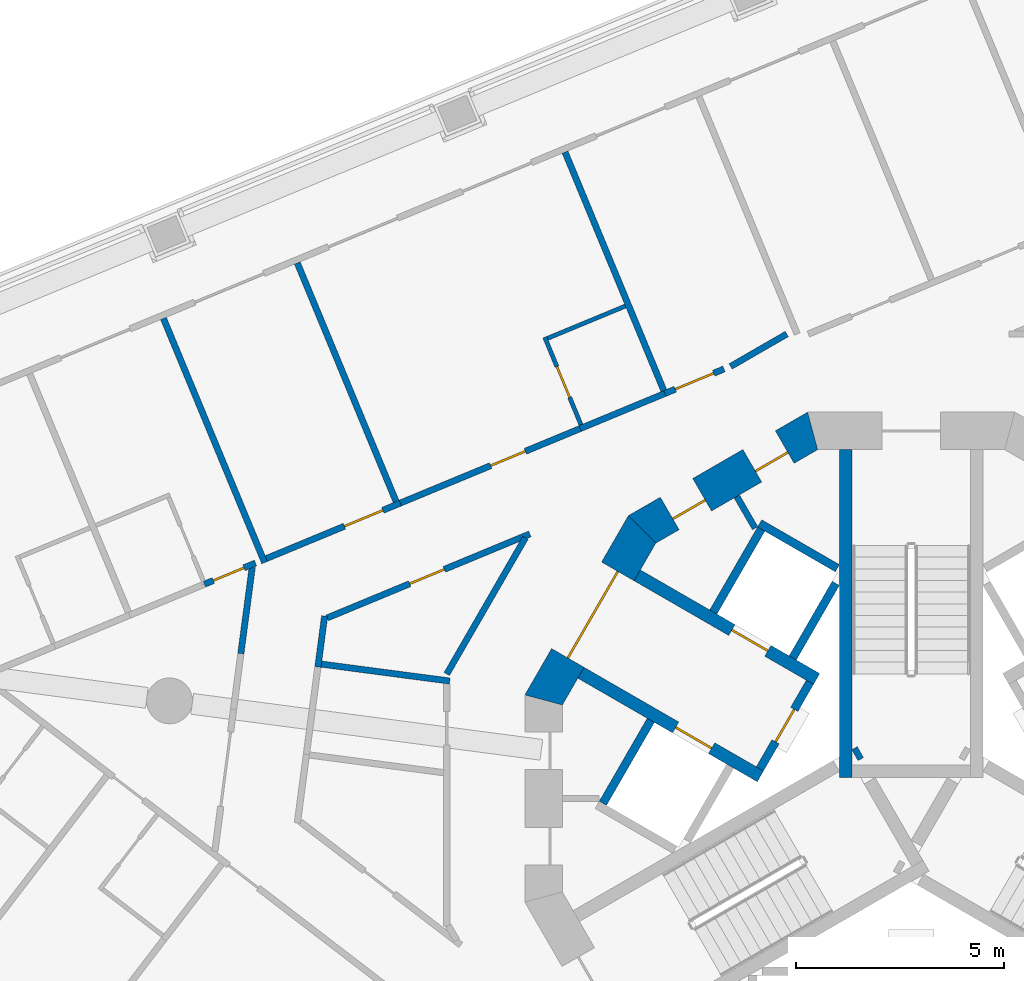
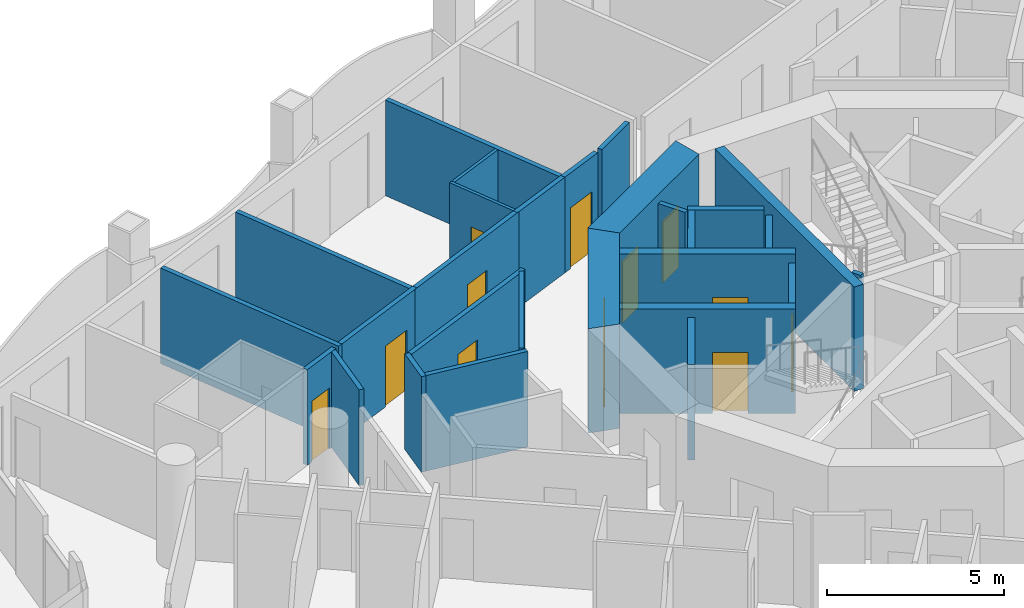
# One storey, part 7 of 17: 28 walls, 12 doors, 12 openings.
"""IFC4 building model written with IfcOpenShell, lengths in metres."""

from ifc_helpers import new_model, si_unit, direction, frame, frame_2d, origin, place, context, subcontext, project, spatial, polyline, rectangle, outline, extrude, material, layer, layer_set, type_object, element, fill, save


model = new_model("IFC4")

# Units and contexts
model_context = context("Model", 3, precision=1e-05, world=origin(), true_north=direction((0.0, 1.0)))
body_context = subcontext(model_context, "Body", "Model", "MODEL_VIEW")
ifc_project = project(units=[si_unit("LENGTHUNIT", "METRE"), si_unit("AREAUNIT", "SQUARE_METRE"), si_unit("VOLUMEUNIT", "CUBIC_METRE"), si_unit("PLANEANGLEUNIT", "RADIAN"), si_unit("MASSUNIT", "GRAM", prefix="KILO")], contexts=[model_context])

# Site, building, storey
site_placement = place(None, origin())
site = spatial("IfcSite", under=ifc_project, at=site_placement, CompositionType="ELEMENT")
building_placement = place(site_placement, origin())
building = spatial("IfcBuilding", under=site, at=building_placement, Name="Trine Commons Tower", CompositionType="ELEMENT")
storey_placement = place(building_placement, frame((0.0, 0.0, 131.39990234375)))
storey = spatial("IfcBuildingStorey", under=building, at=storey_placement, Name="L33", CompositionType="ELEMENT", Elevation=131.39990234375)

# Wall
ifc_material_1 = material(Name="Plasterboard partition on steel studs", Category="steel")
ifc_layer_1 = layer(ifc_material_1, 0.14990234375)
ifc_layer_set_1 = layer_set([ifc_layer_1], Name="Plasterboard partition on steel studs")
wall_type_1 = type_object("IfcWallType", Name="Core room partition 150 mm, EI 60", PredefinedType="PARTITIONING", material=ifc_layer_set_1)
wall_1_placement = place(storey_placement, frame((75.81396484375, 69.7509765625, 0.0), z_axis=(0.0, 0.0, 1.0), x_axis=(0.499890179513, -0.866088799389, 0.0)))
element("IfcWall", 1, at=wall_1_placement, inside=storey, type_object=wall_type_1, Name="Core room partition L33", PredefinedType="PARTITIONING", context=body_context, shape_type="SweptSolid", body=[
    extrude(rectangle(XDim=0.882080078125, YDim=0.14990234375, at=frame_2d((0.44091796875, 0.0))), origin(), (0.0, 0.0, 1.0), 3.300048828125),
])

# Wall, opening, door
ifc_material_2 = material(Name="Fire-rated gypsum shaft wall system")
ifc_layer_2 = layer(ifc_material_2, 0.199951171875)
ifc_layer_set_2 = layer_set([ifc_layer_2], Name="Fire-rated gypsum shaft wall system")
wall_type_2 = type_object("IfcWallType", Name="Lobby end wall 200 mm, EI 120", PredefinedType="PARTITIONING", material=ifc_layer_set_2)
wall_2_placement = place(storey_placement, frame((77.569091796875, 65.2890625, 0.0), z_axis=(0.0, 0.0, 1.0), x_axis=(-0.50012165622, -0.865955154139, 0.0)))
wall_2 = element("IfcWall", 2, at=wall_2_placement, inside=storey, type_object=wall_type_2, Name="Lobby end wall L33", PredefinedType="PARTITIONING", context=body_context, shape_type="SweptSolid", body=[
    extrude(rectangle(XDim=2.39990234375, YDim=0.199951171875, at=frame_2d((1.199951171875, 0.0))), origin(), (0.0, 0.0, 1.0), 3.300048828125),
])
opening_1_placement = place(wall_2_placement, frame((0.749755859375, 0.0, 0.0)))
opening_1 = element("IfcOpeningElement", 3, at=opening_1_placement, cuts=wall_2, Name="Opening K12.07", PredefinedType="OPENING", context=body_context, shape_type="SweptSolid", body=[
    extrude(rectangle(XDim=0.89990234375, YDim=2.10009765625, at=frame_2d((0.449951171875, 1.050048828125))), frame((0.0, 0.10986328125, 0.0), z_axis=(0.0, -1.0, 0.0), x_axis=(1.0, 0.0, 0.0)), (0.0, 0.0, 1.0), 0.219970703125),
])
ifc_material_3 = material(Name="Steel door leaf, fire-rated", Category="steel")
door_type_1 = type_object("IfcDoorType", Name="Riser access door, single leaf 900 x 2100, FD60", OperationType="SINGLE_SWING_LEFT", PredefinedType="DOOR", material=ifc_material_3)
door_1_placement = place(opening_1_placement, frame((0.89990234375, 0.0, 0.0), z_axis=(0.0, 0.0, 1.0), x_axis=(-1.0, 0.0, 0.0)))
door_1 = element("IfcDoor", 4, at=door_1_placement, inside=storey, type_object=door_type_1, Name="Riser door, Mechanical riser L33", OperationType="SINGLE_SWING_RIGHT", OverallHeight=2.10009765625, OverallWidth=0.89990234375, PredefinedType="DOOR", context=body_context, shape_type="SweptSolid", body=[
    extrude(rectangle(XDim=0.89990234375, YDim=2.10009765625, at=frame_2d((0.449951171875, 1.050048828125))), frame((0.0, 0.02490234375, 0.0), z_axis=(0.0, -1.0, 0.0), x_axis=(1.0, 0.0, 0.0)), (0.0, 0.0, 1.0), 0.050048828125),
])
fill(opening_1, door_1)

ifc_material_4 = material(Name="Concrete C70/85", Category="concrete")
ifc_layer_3 = layer(ifc_material_4, 0.300048828125)
ifc_layer_set_3 = layer_set([ifc_layer_3], Name="Concrete C70/85")
wall_type_3 = type_object("IfcWallType", Name="RC shear wall 300 mm, C70/85", PredefinedType="SHEAR", material=ifc_layer_set_3)
wall_3_placement = place(storey_placement, frame((76.381103515625, 63.031005859375, 0.0), z_axis=(0.0, 0.0, 1.0), x_axis=(-0.866080953719, 0.499903772346, 0.0)))
wall_3 = element("IfcWall", 5, at=wall_3_placement, inside=storey, type_object=wall_type_3, Name="Core cross wall SWB-01 L33", PredefinedType="SHEAR", context=body_context, shape_type="SweptSolid", body=[
    extrude(rectangle(XDim=4.97314453125, YDim=0.300048828125, at=frame_2d((2.486572265625, 0.0))), origin(), (0.0, 0.0, 1.0), 3.60009765625),
])
opening_2_placement = place(wall_3_placement, frame((1.350341796875, 0.0, 0.0)))
opening_2 = element("IfcOpeningElement", 6, at=opening_2_placement, cuts=wall_3, Name="Opening LD7", PredefinedType="OPENING", context=body_context, shape_type="SweptSolid", body=[
    extrude(rectangle(XDim=1.0, YDim=2.10009765625, at=frame_2d((0.5, 1.050048828125))), frame((0.0, 0.159912109375, 0.0), z_axis=(0.0, -1.0, 0.0), x_axis=(1.0, 0.0, 0.0)), (0.0, 0.0, 1.0), 0.320068359375),
])
ifc_material_5 = material(Name="Stainless steel sliding door leaves", Category="steel")
door_type_2 = type_object("IfcDoorType", Name="Lift landing door, centre-opening sliding 1000 x 2100, FD90", OperationType="DOUBLE_DOOR_SLIDING", PredefinedType="DOOR", material=ifc_material_5)
door_2_placement = place(opening_2_placement, origin())
door_2 = element("IfcDoor", 7, at=door_2_placement, inside=storey, type_object=door_type_2, Name="Lift landing door HR3 L33", OperationType="DOUBLE_DOOR_SLIDING", OverallHeight=2.10009765625, OverallWidth=1.0, PredefinedType="DOOR", context=body_context, shape_type="SweptSolid", body=[
    extrude(rectangle(XDim=1.0, YDim=2.10009765625, at=frame_2d((0.5, 1.050048828125))), frame((0.0, 0.02490234375, 0.0), z_axis=(0.0, -1.0, 0.0), x_axis=(1.0, 0.0, 0.0)), (0.0, 0.0, 1.0), 0.050048828125),
])
fill(opening_2, door_2)

wall_4_placement = place(storey_placement, frame((77.73095703125, 65.368896484375, 0.0), z_axis=(0.0, 0.0, 1.0), x_axis=(-0.865983655544, 0.500072303102, 0.0)))
wall_4 = element("IfcWall", 8, at=wall_4_placement, inside=storey, type_object=wall_type_3, Name="Core cross wall SWB-02 L33", PredefinedType="SHEAR", context=body_context, shape_type="SweptSolid", body=[
    extrude(rectangle(XDim=4.973388671875, YDim=0.300048828125, at=frame_2d((2.48681640625, 0.0))), origin(), (0.0, 0.0, 1.0), 3.60009765625),
])
opening_3_placement = place(wall_4_placement, frame((1.3505859375, 0.0, 0.0)))
opening_3 = element("IfcOpeningElement", 9, at=opening_3_placement, cuts=wall_4, Name="Opening LD8", PredefinedType="OPENING", context=body_context, shape_type="SweptSolid", body=[
    extrude(rectangle(XDim=1.0, YDim=2.10009765625, at=frame_2d((0.5, 1.050048828125))), frame((0.0, 0.159912109375, 0.0), z_axis=(0.0, -1.0, 0.0), x_axis=(1.0, 0.0, 0.0)), (0.0, 0.0, 1.0), 0.320068359375),
])
door_3_placement = place(opening_3_placement, origin())
door_3 = element("IfcDoor", 10, at=door_3_placement, inside=storey, type_object=door_type_2, Name="Lift landing door HR4 L33", OperationType="DOUBLE_DOOR_SLIDING", OverallHeight=2.10009765625, OverallWidth=1.0, PredefinedType="DOOR", context=body_context, shape_type="SweptSolid", body=[
    extrude(rectangle(XDim=1.0, YDim=2.10009765625, at=frame_2d((0.5, 1.050048828125))), frame((0.0, 0.02490234375, 0.0), z_axis=(0.0, -1.0, 0.0), x_axis=(1.0, 0.0, 0.0)), (0.0, 0.0, 1.0), 0.050048828125),
])
fill(opening_3, door_3)

# Walls
wall_5_placement = place(storey_placement, frame((78.425048828125, 63.0009765625, 0.0), z_axis=(0.0, 0.0, 1.0), x_axis=(0.0, 1.0, 0.0)))
element("IfcWall", 11, at=wall_5_placement, inside=storey, type_object=wall_type_3, Name="Core cross wall SWB-08 L33", PredefinedType="SHEAR", context=body_context, shape_type="SweptSolid", body=[
    extrude(rectangle(XDim=7.8720703125, YDim=0.300048828125, at=frame_2d((3.93603515625, 0.0))), origin(), (0.0, 0.0, 1.0), 3.60009765625),
])
wall_6_placement = place(storey_placement, frame((78.779052734375, 63.614013671875, 0.0), z_axis=(0.0, 0.0, 1.0), x_axis=(-0.867737973955, -0.497021939713, 0.0)))
element("IfcWall", 12, at=wall_6_placement, inside=storey, type_object=wall_type_3, Name="Core cross wall SWB-09 L33", PredefinedType="SHEAR", context=body_context, shape_type="SweptSolid", body=[
    extrude(rectangle(XDim=0.14892578125, YDim=0.300048828125, at=frame_2d((0.074462890625, 0.0))), origin(), (0.0, 0.0, 1.0), 3.60009765625),
])

# Wall, openings, doors
ifc_layer_4 = layer(ifc_material_4, 0.89990234375)
ifc_layer_set_4 = layer_set([ifc_layer_4], Name="Concrete C70/85")
wall_type_4 = type_object("IfcWallType", Name="RC shear wall 900 mm, C70/85", PredefinedType="SHEAR", material=ifc_layer_set_4)
wall_7_placement = place(storey_placement, frame((77.740234375, 71.38330078125, 0.0), z_axis=(0.0, 0.0, 1.0), x_axis=(-0.866003133579, -0.500038571144, 0.0)))
wall_7 = element("IfcWall", 13, at=wall_7_placement, inside=storey, type_object=wall_type_4, Name="Core wall CWD-05 L33", PredefinedType="SHEAR", context=body_context, shape_type="SweptSolid", body=[
    extrude(outline(polyline([(0.0, -0.449951171875), (4.96923828125, -0.449951171875), (4.72802734375, 0.449951171875), (0.2412109375, 0.449951171875), (0.0, -0.449951171875)])), origin(), (0.0, 0.0, 1.0), 3.60009765625),
])
opening_4_placement = place(wall_7_placement, frame((0.89501953125, 0.0, 0.0)))
opening_4 = element("IfcOpeningElement", 14, at=opening_4_placement, cuts=wall_7, Name="Opening K12.14", PredefinedType="OPENING", context=body_context, shape_type="SweptSolid", body=[
    extrude(rectangle(XDim=0.89990234375, YDim=2.10009765625, at=frame_2d((0.449951171875, 1.050048828125))), frame((0.0, 0.4599609375, 0.0), z_axis=(0.0, -1.0, 0.0), x_axis=(1.0, 0.0, 0.0)), (0.0, 0.0, 1.0), 0.919921875),
])
opening_5_placement = place(wall_7_placement, frame((3.18408203125, 0.0, 0.0)))
opening_5 = element("IfcOpeningElement", 15, at=opening_5_placement, cuts=wall_7, Name="Opening K12.15", PredefinedType="OPENING", context=body_context, shape_type="SweptSolid", body=[
    extrude(rectangle(XDim=0.89990234375, YDim=2.10009765625, at=frame_2d((0.449951171875, 1.050048828125))), frame((0.0, 0.4599609375, 0.0), z_axis=(0.0, -1.0, 0.0), x_axis=(1.0, 0.0, 0.0)), (0.0, 0.0, 1.0), 0.919921875),
])
door_type_3 = type_object("IfcDoorType", Name="Core room door, single leaf 900 x 2100, FD30S", OperationType="SINGLE_SWING_LEFT", PredefinedType="DOOR", material=ifc_material_3)
door_4_placement = place(opening_4_placement, origin())
door_4 = element("IfcDoor", 16, at=door_4_placement, inside=storey, type_object=door_type_3, Name="Door to Cleaner's store L33", OperationType="SINGLE_SWING_LEFT", OverallHeight=2.10009765625, OverallWidth=0.89990234375, PredefinedType="DOOR", context=body_context, shape_type="SweptSolid", body=[
    extrude(rectangle(XDim=0.89990234375, YDim=2.10009765625, at=frame_2d((0.449951171875, 1.050048828125))), frame((0.0, 0.1748046875, 0.0), z_axis=(0.0, -1.0, 0.0), x_axis=(1.0, 0.0, 0.0)), (0.0, 0.0, 1.0), 0.050048828125),
])
fill(opening_4, door_4)
door_5_placement = place(opening_5_placement, origin())
door_5 = element("IfcDoor", 17, at=door_5_placement, inside=storey, type_object=door_type_3, Name="Door to Accessible WC L33", OperationType="SINGLE_SWING_RIGHT", OverallHeight=2.10009765625, OverallWidth=0.89990234375, PredefinedType="DOOR", context=body_context, shape_type="SweptSolid", body=[
    extrude(rectangle(XDim=0.89990234375, YDim=2.10009765625, at=frame_2d((0.449951171875, 1.050048828125))), frame((0.0, 0.1748046875, 0.0), z_axis=(0.0, -1.0, 0.0), x_axis=(1.0, 0.0, 0.0)), (0.0, 0.0, 1.0), 0.050048828125),
])
fill(opening_5, door_5)

# Wall, opening, door
wall_8_placement = place(storey_placement, frame((73.6015625, 69.063232421875, 0.0), z_axis=(0.0, 0.0, 1.0), x_axis=(-0.500038571144, -0.866003133579, 0.0)))
wall_8 = element("IfcWall", 18, at=wall_8_placement, inside=storey, type_object=wall_type_4, Name="Core wall CWD-06 L33", PredefinedType="SHEAR", context=body_context, shape_type="SweptSolid", body=[
    extrude(outline(polyline([(0.0, -0.449951171875), (4.96923828125, -0.449951171875), (4.72802734375, 0.449951171875), (0.2412109375, 0.449951171875), (0.0, -0.449951171875)])), origin(), (0.0, 0.0, 1.0), 3.60009765625),
])
opening_6_placement = place(wall_8_placement, frame((1.28466796875, 0.0, 0.0)))
opening_6 = element("IfcOpeningElement", 19, at=opening_6_placement, cuts=wall_8, Name="Opening K12.06", PredefinedType="OPENING", context=body_context, shape_type="SweptSolid", body=[
    extrude(rectangle(XDim=2.39990234375, YDim=2.10009765625, at=frame_2d((1.199951171875, 1.050048828125))), frame((0.0, 0.4599609375, 0.0), z_axis=(0.0, -1.0, 0.0), x_axis=(1.0, 0.0, 0.0)), (0.0, 0.0, 1.0), 0.919921875),
])
ifc_material_6 = material(Name="Steel door leaves, fire-rated", Category="steel")
door_type_4 = type_object("IfcDoorType", Name="Lobby door, double leaf 2400 x 2100, FD60", OperationType="DOUBLE_DOOR_SINGLE_SWING", PredefinedType="DOOR", material=ifc_material_6)
door_6_placement = place(opening_6_placement, origin())
door_6 = element("IfcDoor", 20, at=door_6_placement, inside=storey, type_object=door_type_4, Name="Lobby door, Passenger lift lobby B L33", OperationType="DOUBLE_DOOR_SINGLE_SWING", OverallHeight=2.10009765625, OverallWidth=2.39990234375, PredefinedType="DOOR", context=body_context, shape_type="SweptSolid", body=[
    extrude(rectangle(XDim=2.39990234375, YDim=2.10009765625, at=frame_2d((1.199951171875, 1.050048828125))), frame((0.0, 0.02490234375, 0.0), z_axis=(0.0, -1.0, 0.0), x_axis=(1.0, 0.0, 0.0)), (0.0, 0.0, 1.0), 0.050048828125),
])
fill(opening_6, door_6)

# Walls
ifc_layer_5 = layer(ifc_material_2, 0.199951171875)
ifc_layer_set_5 = layer_set([ifc_layer_5], Name="Fire-rated gypsum shaft wall system")
wall_type_5 = type_object("IfcWallType", Name="Shaft wall 200 mm, EI 120", PredefinedType="PARTITIONING", material=ifc_layer_set_5)
for number, where, z_axis, x_axis, name in (
    (21, (73.7509765625, 64.3759765625, 0.0), (0.0, 0.0, 1.0), (-0.500136062276, -0.86594683394, 0.0), "Shaft wall L33"),
    (22, (75.2509765625, 66.97412109375, 0.0), (0.0, 0.0, 1.0), (0.500136062276, 0.86594683394, 0.0), "Shaft wall L33"),
):
    element("IfcWall", number, at=place(storey_placement, frame(where, z_axis=z_axis, x_axis=x_axis)), inside=storey, type_object=wall_type_5, Name=name, PredefinedType="PARTITIONING", context=body_context, shape_type="SweptSolid", body=[
        extrude(rectangle(XDim=2.299072265625, YDim=0.199951171875, at=frame_2d((1.1494140625, 0.0))), origin(), (0.0, 0.0, 1.0), 3.300048828125),
    ])
wall_9_placement = place(storey_placement, frame((77.156005859375, 65.8740234375, 0.0), z_axis=(0.0, 0.0, 1.0), x_axis=(0.499865770674, 0.866102887253, 0.0)))
element("IfcWall", 23, at=wall_9_placement, inside=storey, type_object=wall_type_5, Name="Shaft wall L33", PredefinedType="PARTITIONING", context=body_context, shape_type="SweptSolid", body=[
    extrude(rectangle(XDim=2.064453125, YDim=0.199951171875, at=frame_2d((1.0322265625, 0.0))), origin(), (0.0, 0.0, 1.0), 3.300048828125),
])
wall_10_placement = place(storey_placement, frame((78.22509765625, 68.028076171875, 0.0), z_axis=(0.0, 0.0, 1.0), x_axis=(-0.866130725101, 0.499817533742, 0.0)))
element("IfcWall", 24, at=wall_10_placement, inside=storey, type_object=wall_type_5, Name="Shaft wall L33", PredefinedType="PARTITIONING", context=body_context, shape_type="SweptSolid", body=[
    extrude(rectangle(XDim=2.148681640625, YDim=0.199951171875, at=frame_2d((1.07421875, 0.0))), origin(), (0.0, 0.0, 1.0), 3.300048828125),
])
ifc_material_7 = material(Name="Gypsum plasterboard on steel stud", Category="steel")
ifc_layer_6 = layer(ifc_material_7, 0.14990234375)
ifc_layer_set_6 = layer_set([ifc_layer_6], Name="Gypsum plasterboard on steel stud")
wall_type_6 = type_object("IfcWallType", Name="Unit and corridor wall 150 mm, EI 60", PredefinedType="PARTITIONING", material=ifc_layer_set_6)
wall_11_placement = place(storey_placement, frame((62.05322265625, 74.02197265625, 0.0), z_axis=(0.0, 0.0, 1.0), x_axis=(0.382821977845, -0.923822132923, 0.0)))
element("IfcWall", 25, at=wall_11_placement, inside=storey, type_object=wall_type_6, Name="Partition 017", PredefinedType="PARTITIONING", context=body_context, shape_type="SweptSolid", body=[
    extrude(rectangle(XDim=6.343505859375, YDim=0.14990234375, at=frame_2d((3.171875, 0.0))), origin(), (0.0, 0.0, 1.0), 3.300048828125),
])

# Wall, opening, door
wall_12_placement = place(storey_placement, frame((63.0380859375, 67.64404296875, 0.0), z_axis=(0.0, 0.0, 1.0), x_axis=(0.923848523473, 0.38275828623, 0.0)))
wall_12 = element("IfcWall", 26, at=wall_12_placement, inside=storey, type_object=wall_type_6, Name="Partition 020", PredefinedType="PARTITIONING", context=body_context, shape_type="SweptSolid", body=[
    extrude(rectangle(XDim=1.326171875, YDim=0.14990234375, at=frame_2d((0.6630859375, 0.0))), origin(), (0.0, 0.0, 1.0), 3.300048828125),
])
opening_7_placement = place(wall_12_placement, frame((0.227783203125, 0.0, 0.0)))
opening_7 = element("IfcOpeningElement", 27, at=opening_7_placement, cuts=wall_12, Name="Opening D-4A06", PredefinedType="OPENING", context=body_context, shape_type="SweptSolid", body=[
    extrude(rectangle(XDim=0.800048828125, YDim=2.10009765625, at=frame_2d((0.39990234375, 1.050048828125))), frame((0.0, 0.0849609375, 0.0), z_axis=(0.0, -1.0, 0.0), x_axis=(1.0, 0.0, 0.0)), (0.0, 0.0, 1.0), 0.169921875),
])
ifc_material_8 = material(Name="Timber fire door set", Category="wood")
door_type_5 = type_object("IfcDoorType", Name="Bedroom door 800 x 2100, FD30S", OperationType="NOTDEFINED", PredefinedType="DOOR", material=ifc_material_8)
door_7_placement = place(opening_7_placement, origin())
door_7 = element("IfcDoor", 28, at=door_7_placement, inside=storey, type_object=door_type_5, Name="Door D-4A06", OperationType="SINGLE_SWING_LEFT", OverallHeight=2.10009765625, OverallWidth=0.800048828125, PredefinedType="DOOR", context=body_context, shape_type="SweptSolid", body=[
    extrude(rectangle(XDim=0.800048828125, YDim=2.10009765625, at=frame_2d((0.39990234375, 1.050048828125))), frame((0.0, 0.02490234375, 0.0), z_axis=(0.0, -1.0, 0.0), x_axis=(1.0, 0.0, 0.0)), (0.0, 0.0, 1.0), 0.050048828125),
])
fill(opening_7, door_7)

# Wall
wall_13_placement = place(storey_placement, frame((63.910888671875, 65.97705078125, 0.0), z_axis=(0.0, 0.0, 1.0), x_axis=(0.13074768898, 0.9914156756, 0.0)))
element("IfcWall", 29, at=wall_13_placement, inside=storey, type_object=wall_type_6, Name="Partition 023", PredefinedType="PARTITIONING", context=body_context, shape_type="SweptSolid", body=[
    extrude(rectangle(XDim=2.08935546875, YDim=0.14990234375, at=frame_2d((1.044677734375, 0.0))), origin(), (0.0, 0.0, 1.0), 3.300048828125),
])

# Wall, opening, door
wall_14_placement = place(storey_placement, frame((64.519287109375, 68.2578125, 0.0), z_axis=(0.0, 0.0, 1.0), x_axis=(0.923914357305, 0.382599347053, 0.0)))
wall_14 = element("IfcWall", 30, at=wall_14_placement, inside=storey, type_object=wall_type_6, Name="Partition 024", PredefinedType="PARTITIONING", context=body_context, shape_type="SweptSolid", body=[
    extrude(rectangle(XDim=3.484130859375, YDim=0.14990234375, at=frame_2d((1.7421875, 0.0))), origin(), (0.0, 0.0, 1.0), 3.300048828125),
])
opening_8_placement = place(wall_14_placement, frame((2.030517578125, 0.0, 0.0)))
opening_8 = element("IfcOpeningElement", 31, at=opening_8_placement, cuts=wall_14, Name="Opening D-4A07", PredefinedType="OPENING", context=body_context, shape_type="SweptSolid", body=[
    extrude(rectangle(XDim=1.0, YDim=2.10009765625, at=frame_2d((0.5, 1.050048828125))), frame((0.0, 0.0849609375, 0.0), z_axis=(0.0, -1.0, 0.0), x_axis=(1.0, 0.0, 0.0)), (0.0, 0.0, 1.0), 0.169921875),
])
ifc_material_9 = material(Name="Painted timber", Category="wood")
door_type_6 = type_object("IfcDoorType", Name="Amenity room door 1000 x 2100, NOT RATED", OperationType="NOTDEFINED", PredefinedType="DOOR", material=ifc_material_9)
door_8_placement = place(opening_8_placement, origin())
door_8 = element("IfcDoor", 32, at=door_8_placement, inside=storey, type_object=door_type_6, Name="Door D-4A07", OperationType="SINGLE_SWING_RIGHT", OverallHeight=2.10009765625, OverallWidth=1.0, PredefinedType="DOOR", context=body_context, shape_type="SweptSolid", body=[
    extrude(rectangle(XDim=1.0, YDim=2.10009765625, at=frame_2d((0.5, 1.050048828125))), frame((0.0, 0.02490234375, 0.0), z_axis=(0.0, -1.0, 0.0), x_axis=(1.0, 0.0, 0.0)), (0.0, 0.0, 1.0), 0.050048828125),
])
fill(opening_8, door_8)

# Walls
wall_15_placement = place(storey_placement, frame((65.266357421875, 75.35302734375, 0.0), z_axis=(0.0, 0.0, 1.0), x_axis=(0.382610562407, -0.923909712869, 0.0)))
element("IfcWall", 33, at=wall_15_placement, inside=storey, type_object=wall_type_6, Name="Partition 026", PredefinedType="PARTITIONING", context=body_context, shape_type="SweptSolid", body=[
    extrude(rectangle(XDim=6.19384765625, YDim=0.14990234375, at=frame_2d((3.096923828125, 0.0))), origin(), (0.0, 0.0, 1.0), 3.300048828125),
])
wall_16_placement = place(storey_placement, frame((65.76025390625, 65.656494140625, 0.0), z_axis=(0.0, 0.0, 1.0), x_axis=(0.131022785859, 0.99137935705, 0.0)))
element("IfcWall", 34, at=wall_16_placement, inside=storey, type_object=wall_type_6, Name="Partition 031", PredefinedType="PARTITIONING", context=body_context, shape_type="SweptSolid", body=[
    extrude(rectangle(XDim=1.233642578125, YDim=0.14990234375, at=frame_2d((0.61669921875, 0.0))), origin(), (0.0, 0.0, 1.0), 3.300048828125),
])
wall_17_placement = place(storey_placement, frame((65.845458984375, 65.72509765625, 0.0), z_axis=(0.0, 0.0, 1.0), x_axis=(0.991429142169, -0.130645535929, 0.0)))
element("IfcWall", 35, at=wall_17_placement, inside=storey, type_object=wall_type_6, Name="Partition 032", PredefinedType="PARTITIONING", context=body_context, shape_type="SweptSolid", body=[
    extrude(rectangle(XDim=3.107666015625, YDim=0.14990234375, at=frame_2d((1.5537109375, 0.0))), origin(), (0.0, 0.0, 1.0), 3.300048828125),
])

# Wall, opening, door
wall_18_placement = place(storey_placement, frame((65.981201171875, 66.833740234375, 0.0), z_axis=(0.0, 0.0, 1.0), x_axis=(0.923830903719, 0.382800811563, 0.0)))
wall_18 = element("IfcWall", 36, at=wall_18_placement, inside=storey, type_object=wall_type_6, Name="Partition 035", PredefinedType="PARTITIONING", context=body_context, shape_type="SweptSolid", body=[
    extrude(rectangle(XDim=5.26611328125, YDim=0.14990234375, at=frame_2d((2.633056640625, 0.0))), origin(), (0.0, 0.0, 1.0), 3.300048828125),
])
opening_9_placement = place(wall_18_placement, frame((2.1455078125, 0.0, 0.0)))
opening_9 = element("IfcOpeningElement", 37, at=opening_9_placement, cuts=wall_18, Name="Opening D-4A36", PredefinedType="OPENING", context=body_context, shape_type="SweptSolid", body=[
    extrude(rectangle(XDim=0.89990234375, YDim=2.10009765625, at=frame_2d((0.449951171875, 1.050048828125))), frame((0.0, 0.0849609375, 0.0), z_axis=(0.0, -1.0, 0.0), x_axis=(1.0, 0.0, 0.0)), (0.0, 0.0, 1.0), 0.169921875),
])
door_type_7 = type_object("IfcDoorType", Name="Service door 900 x 2100, FD30S", OperationType="NOTDEFINED", PredefinedType="DOOR", material=ifc_material_8)
door_9_placement = place(opening_9_placement, frame((0.89990234375, 0.0, 0.0), z_axis=(0.0, 0.0, 1.0), x_axis=(-1.0, 0.0, 0.0)))
door_9 = element("IfcDoor", 38, at=door_9_placement, inside=storey, type_object=door_type_7, Name="Door D-4A36", OperationType="SINGLE_SWING_RIGHT", OverallHeight=2.10009765625, OverallWidth=0.89990234375, PredefinedType="DOOR", context=body_context, shape_type="SweptSolid", body=[
    extrude(rectangle(XDim=0.89990234375, YDim=2.10009765625, at=frame_2d((0.449951171875, 1.050048828125))), frame((0.0, 0.02490234375, 0.0), z_axis=(0.0, -1.0, 0.0), x_axis=(1.0, 0.0, 0.0)), (0.0, 0.0, 1.0), 0.050048828125),
])
fill(opening_9, door_9)

wall_19_placement = place(storey_placement, frame((67.662109375, 69.55908203125, 0.0), z_axis=(0.0, 0.0, 1.0), x_axis=(0.923858526334, 0.382734141827, 0.0)))
wall_19 = element("IfcWall", 39, at=wall_19_placement, inside=storey, type_object=wall_type_6, Name="Partition 037", PredefinedType="PARTITIONING", context=body_context, shape_type="SweptSolid", body=[
    extrude(rectangle(XDim=4.812255859375, YDim=0.14990234375, at=frame_2d((2.40625, 0.0))), origin(), (0.0, 0.0, 1.0), 3.300048828125),
])
opening_10_placement = place(wall_19_placement, frame((2.431396484375, 0.0, 0.0)))
opening_10 = element("IfcOpeningElement", 40, at=opening_10_placement, cuts=wall_19, Name="Opening D-4A08", PredefinedType="OPENING", context=body_context, shape_type="SweptSolid", body=[
    extrude(rectangle(XDim=0.89990234375, YDim=2.10009765625, at=frame_2d((0.449951171875, 1.050048828125))), frame((0.0, 0.0849609375, 0.0), z_axis=(0.0, -1.0, 0.0), x_axis=(1.0, 0.0, 0.0)), (0.0, 0.0, 1.0), 0.169921875),
])
door_type_8 = type_object("IfcDoorType", Name="Bedroom door 900 x 2100, FD30S", OperationType="NOTDEFINED", PredefinedType="DOOR", material=ifc_material_8)
door_10_placement = place(opening_10_placement, origin())
door_10 = element("IfcDoor", 41, at=door_10_placement, inside=storey, type_object=door_type_8, Name="Door D-4A08", OperationType="SINGLE_SWING_RIGHT", OverallHeight=2.10009765625, OverallWidth=0.89990234375, PredefinedType="DOOR", context=body_context, shape_type="SweptSolid", body=[
    extrude(rectangle(XDim=0.89990234375, YDim=2.10009765625, at=frame_2d((0.449951171875, 1.050048828125))), frame((0.0, 0.02490234375, 0.0), z_axis=(0.0, -1.0, 0.0), x_axis=(1.0, 0.0, 0.0)), (0.0, 0.0, 1.0), 0.050048828125),
])
fill(opening_10, door_10)

# Walls
wall_20_placement = place(storey_placement, frame((68.85205078125, 65.487060546875, 0.0), z_axis=(0.0, 0.0, 1.0), x_axis=(0.500065504582, 0.865987581393, 0.0)))
element("IfcWall", 42, at=wall_20_placement, inside=storey, type_object=wall_type_6, Name="Partition 040", PredefinedType="PARTITIONING", context=body_context, shape_type="SweptSolid", body=[
    extrude(rectangle(XDim=3.7783203125, YDim=0.14990234375, at=frame_2d((1.88916015625, 0.0))), origin(), (0.0, 0.0, 1.0), 3.300048828125),
])
wall_21_placement = place(storey_placement, frame((71.69140625, 78.014892578125, 0.0), z_axis=(0.0, 0.0, 1.0), x_axis=(0.38274513347, -0.923853972663, 0.0)))
element("IfcWall", 43, at=wall_21_placement, inside=storey, type_object=wall_type_6, Name="Partition 046", PredefinedType="PARTITIONING", context=body_context, shape_type="SweptSolid", body=[
    extrude(rectangle(XDim=6.1943359375, YDim=0.14990234375, at=frame_2d((3.09716796875, 0.0))), origin(), (0.0, 0.0, 1.0), 3.300048828125),
])
wall_22_placement = place(storey_placement, frame((72.0546875, 71.37890625, 0.0), z_axis=(0.0, 0.0, 1.0), x_axis=(0.923863223013, 0.382722804604, 0.0)))
element("IfcWall", 44, at=wall_22_placement, inside=storey, type_object=wall_type_6, Name="Partition 048", PredefinedType="PARTITIONING", context=body_context, shape_type="SweptSolid", body=[
    extrude(rectangle(XDim=2.20849609375, YDim=0.14990234375, at=frame_2d((1.104248046875, 0.0))), origin(), (0.0, 0.0, 1.0), 3.300048828125),
])

# Wall, opening, door
wall_23_placement = place(storey_placement, frame((74.087890625, 72.220947265625, 0.0), z_axis=(0.0, 0.0, 1.0), x_axis=(0.923720156635, 0.383067973375, 0.0)))
wall_23 = element("IfcWall", 45, at=wall_23_placement, inside=storey, type_object=wall_type_6, Name="Partition 051", PredefinedType="PARTITIONING", context=body_context, shape_type="SweptSolid", body=[
    extrude(rectangle(XDim=1.535400390625, YDim=0.14990234375, at=frame_2d((0.767578125, 0.0))), origin(), (0.0, 0.0, 1.0), 3.300048828125),
])
opening_11_placement = place(wall_23_placement, frame((0.269287109375, 0.0, 0.0)))
opening_11 = element("IfcOpeningElement", 46, at=opening_11_placement, cuts=wall_23, Name="Opening D-4A09", PredefinedType="OPENING", context=body_context, shape_type="SweptSolid", body=[
    extrude(rectangle(XDim=1.0, YDim=2.10009765625, at=frame_2d((0.5, 1.050048828125))), frame((0.0, 0.0849609375, 0.0), z_axis=(0.0, -1.0, 0.0), x_axis=(1.0, 0.0, 0.0)), (0.0, 0.0, 1.0), 0.169921875),
])
door_11_placement = place(opening_11_placement, origin())
door_11 = element("IfcDoor", 47, at=door_11_placement, inside=storey, type_object=door_type_6, Name="Door D-4A09", OperationType="SINGLE_SWING_RIGHT", OverallHeight=2.10009765625, OverallWidth=1.0, PredefinedType="DOOR", context=body_context, shape_type="SweptSolid", body=[
    extrude(rectangle(XDim=1.0, YDim=2.10009765625, at=frame_2d((0.5, 1.050048828125))), frame((0.0, 0.02490234375, 0.0), z_axis=(0.0, -1.0, 0.0), x_axis=(1.0, 0.0, 0.0)), (0.0, 0.0, 1.0), 0.050048828125),
])
fill(opening_11, door_11)

# Wall
wall_24_placement = place(storey_placement, frame((75.666015625, 72.8701171875, 0.0), z_axis=(0.0, 0.0, 1.0), x_axis=(0.865973841288, 0.500089298231, 0.0)))
element("IfcWall", 48, at=wall_24_placement, inside=storey, type_object=wall_type_6, Name="Partition 055", PredefinedType="PARTITIONING", context=body_context, shape_type="SweptSolid", body=[
    extrude(rectangle(XDim=1.555419921875, YDim=0.14990234375, at=frame_2d((0.77783203125, 0.0))), origin(), (0.0, 0.0, 1.0), 3.300048828125),
])

# Wall, opening, door
ifc_layer_7 = layer(ifc_material_7, 0.10009765625)
ifc_layer_set_7 = layer_set([ifc_layer_7], Name="Gypsum plasterboard on steel stud")
wall_type_7 = type_object("IfcWallType", Name="Unit partition 100 mm, no rating", PredefinedType="PARTITIONING", material=ifc_layer_set_7)
wall_25_placement = place(storey_placement, frame((71.204833984375, 73.5712890625, 0.0), z_axis=(0.0, 0.0, 1.0), x_axis=(0.382557141415, -0.923931833824, 0.0)))
wall_25 = element("IfcWall", 49, at=wall_25_placement, inside=storey, type_object=wall_type_7, Name="Partition 043", PredefinedType="PARTITIONING", context=body_context, shape_type="SweptSolid", body=[
    extrude(rectangle(XDim=2.275146484375, YDim=0.10009765625, at=frame_2d((1.1376953125, 0.0))), origin(), (0.0, 0.0, 1.0), 3.300048828125),
])
opening_12_placement = place(wall_25_placement, frame((0.7626953125, 0.0, 0.0)))
opening_12 = element("IfcOpeningElement", 50, at=opening_12_placement, cuts=wall_25, Name="Opening D-4A41", PredefinedType="OPENING", context=body_context, shape_type="SweptSolid", body=[
    extrude(rectangle(XDim=0.800048828125, YDim=2.10009765625, at=frame_2d((0.39990234375, 1.050048828125))), frame((0.0, 0.06005859375, 0.0), z_axis=(0.0, -1.0, 0.0), x_axis=(1.0, 0.0, 0.0)), (0.0, 0.0, 1.0), 0.1201171875),
])
door_type_9 = type_object("IfcDoorType", Name="Internal door 800 x 2100, NOT RATED", OperationType="NOTDEFINED", PredefinedType="DOOR", material=ifc_material_9)
door_12_placement = place(opening_12_placement, frame((0.800048828125, 0.0, 0.0), z_axis=(0.0, 0.0, 1.0), x_axis=(-1.0, 0.0, 0.0)))
door_12 = element("IfcDoor", 51, at=door_12_placement, inside=storey, type_object=door_type_9, Name="Door D-4A41", OperationType="SINGLE_SWING_LEFT", OverallHeight=2.10009765625, OverallWidth=0.800048828125, PredefinedType="DOOR", context=body_context, shape_type="SweptSolid", body=[
    extrude(rectangle(XDim=0.800048828125, YDim=2.10009765625, at=frame_2d((0.39990234375, 1.050048828125))), frame((0.0, 0.02490234375, 0.0), z_axis=(0.0, -1.0, 0.0), x_axis=(1.0, 0.0, 0.0)), (0.0, 0.0, 1.0), 0.050048828125),
])
fill(opening_12, door_12)

# Wall
wall_26_placement = place(storey_placement, frame((71.270263671875, 73.544189453125, 0.0), z_axis=(0.0, 0.0, 1.0), x_axis=(0.923877272036, 0.382688889591, 0.0)))
element("IfcWall", 52, at=wall_26_placement, inside=storey, type_object=wall_type_7, Name="Partition 044", PredefinedType="PARTITIONING", context=body_context, shape_type="SweptSolid", body=[
    extrude(rectangle(XDim=2.025634765625, YDim=0.10009765625, at=frame_2d((1.0126953125, 0.0))), origin(), (0.0, 0.0, 1.0), 3.300048828125),
])

save(model, "model.ifc")
